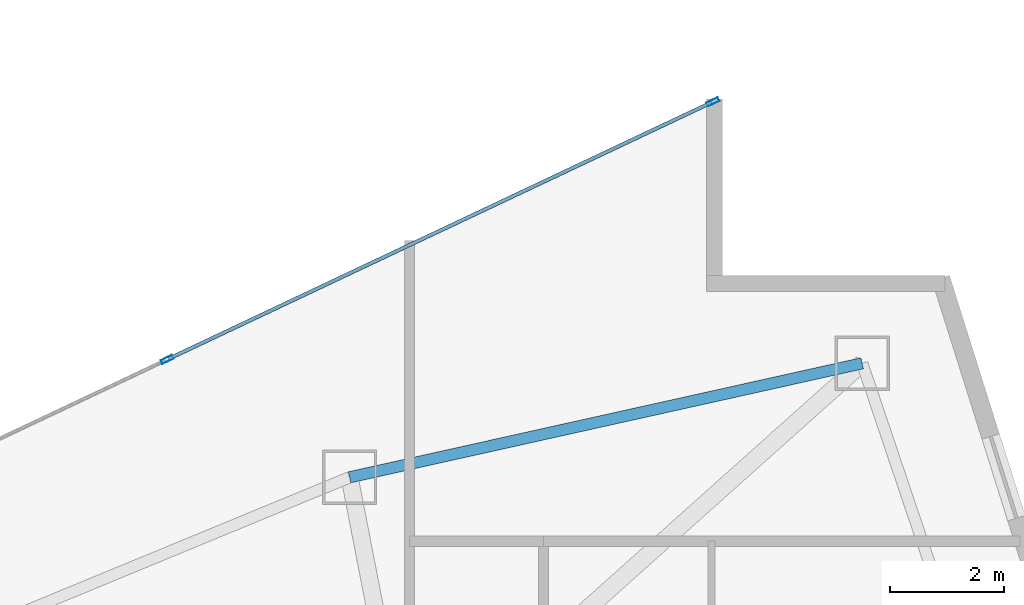
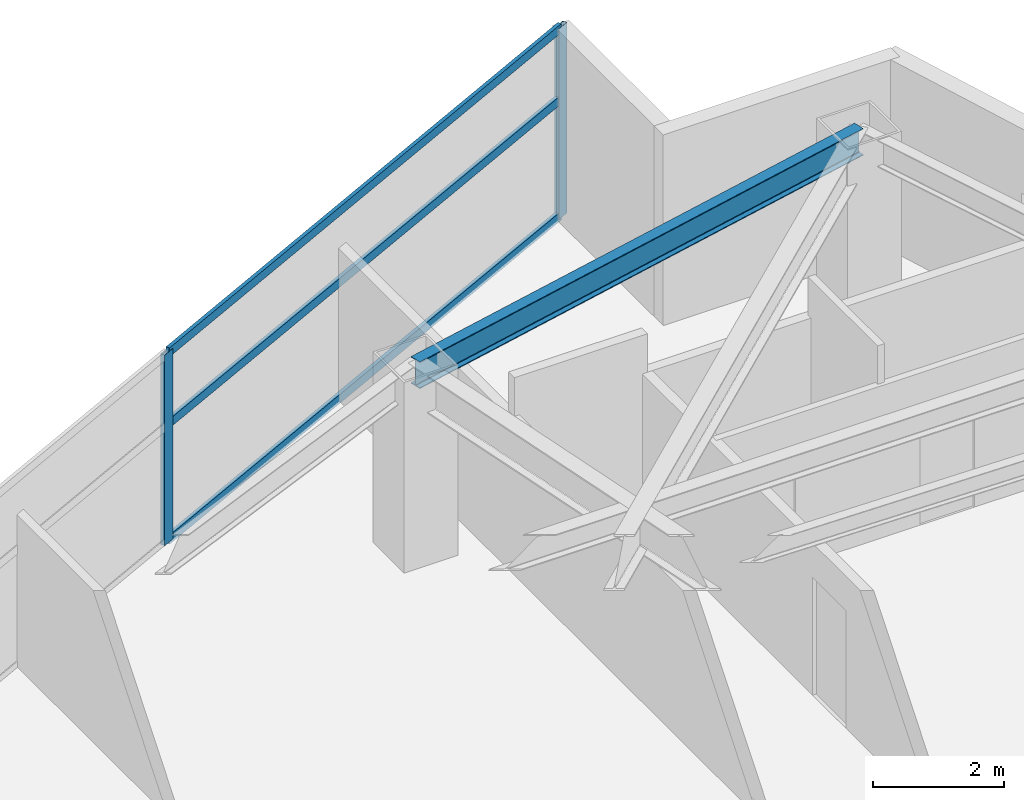
# One storey, part 20 of 29: 5 members, 1 beam, 1 element without a shape of its own.
"""IFC4 building model written with IfcOpenShell, lengths in metres."""

from ifc_helpers import new_model, si_unit, direction, frame, origin, origin_2d, place, context, subcontext, project, spatial, hollow_rectangle, i_section, extrude, material, layer, layer_set, material_profile, profile_set, type_object, element, aggregate, save


model = new_model("IFC4")

# Units and contexts
model_context = context("Model", 3, precision=1e-05, world=origin(), true_north=direction((0.0, 1.0)))
body_context = subcontext(model_context, "Body", "Model", "MODEL_VIEW")
ifc_project = project(units=[si_unit("LENGTHUNIT", "METRE"), si_unit("AREAUNIT", "SQUARE_METRE"), si_unit("VOLUMEUNIT", "CUBIC_METRE"), si_unit("PLANEANGLEUNIT", "RADIAN"), si_unit("MASSUNIT", "GRAM", prefix="KILO")], contexts=[model_context])

# Site, building, storey
site_placement = place(None, origin())
site = spatial("IfcSite", under=ifc_project, at=site_placement, CompositionType="ELEMENT")
building_placement = place(site_placement, origin())
building = spatial("IfcBuilding", under=site, at=building_placement, Name="Calvorn Quay Hotel", CompositionType="ELEMENT")
storey_placement = place(building_placement, frame((0.0, 0.0, 38.39990234375)))
storey = spatial("IfcBuildingStorey", under=building, at=storey_placement, Name="L08", CompositionType="ELEMENT", Elevation=38.39990234375)

# Beam
ifc_material_1 = material(Name="Steel Q355B", Category="steel")
ifc_material_profile_1 = material_profile(ifc_material_1, i_section(OverallWidth=0.199951171875, OverallDepth=0.5, WebThickness=0.010009765625, FlangeThickness=0.01611328125, FilletRadius=0.01611328125, at=origin_2d()), Name="HN500x200x10x16")
ifc_profile_set_1 = profile_set([ifc_material_profile_1], Name="Steel Q355B")
beam_type = type_object("IfcBeamType", Name="BM-SPANDREL-Z1", PredefinedType="SPANDREL", material=ifc_profile_set_1)
beam_placement = place(storey_placement, frame((52.990966796875, 33.39990234375, 3.2900390625), z_axis=(-0.976140886259, -0.217138136156, 0.0), x_axis=(0.217138136156, -0.976140886259, 0.0)))
element("IfcBeam", 1, at=beam_placement, inside=storey, type_object=beam_type, Name="Beam BSP-L08-E3", PredefinedType="SPANDREL", context=body_context, shape_type="SweptSolid", body=[
    extrude(i_section(OverallWidth=0.199951171875, OverallDepth=0.5, WebThickness=0.010009765625, FlangeThickness=0.01611328125, FilletRadius=0.01611328125, at=origin_2d()), origin(), (0.0, 0.0, 1.0), 9.210693359375),
])

# Curtain wall, members
ifc_material_2 = material(Name="Pale Anodised Aluminium and Low-E Glass", Category="aluminium")
ifc_layer = layer(ifc_material_2, 0.219970703125)
ifc_layer_set = layer_set([ifc_layer], Name="CW-SYS-Z1")
curtain_wall_type = type_object("IfcCurtainWallType", Name="CW-SYS-Z1", PredefinedType="NOTDEFINED", material=ifc_layer_set)
curtain_wall_placement = place(storey_placement, origin())
curtain_wall = element("IfcCurtainWall", 2, at=curtain_wall_placement, inside=storey, type_object=curtain_wall_type, Name="Inner Court Curtain Wall L08-NE1", PredefinedType="NOTDEFINED")
ifc_material_3 = material(Name="Pale Anodised Aluminium 6063-T6", Category="aluminium")
ifc_material_profile_2 = material_profile(ifc_material_3, hollow_rectangle(XDim=0.074951171875, YDim=0.219970703125, WallThickness=0.00439453125, at=origin_2d()), Name="ALU-M220x75x4.5")
ifc_profile_set_2 = profile_set([ifc_material_profile_2], Name="Pale Anodised Aluminium 6063-T6")
member_type_1 = type_object("IfcMemberType", Name="CW-SYS-Z1-MUL", PredefinedType="MULLION", material=ifc_profile_set_2)
member_1_placement = place(storey_placement, frame((50.372802734375, 37.9873046875, 0.0), z_axis=(0.0, 0.0, 1.0), x_axis=(0.427006305415, -0.904248646743, 0.0)))
member_1 = element("IfcMember", 3, at=member_1_placement, type_object=member_type_1, Name="CW-L08-NE1 mullion 1", PredefinedType="MULLION", context=body_context, shape_type="SweptSolid", body=[
    extrude(hollow_rectangle(XDim=0.074951171875, YDim=0.219970703125, WallThickness=0.00439453125, at=origin_2d()), origin(), (0.0, 0.0, 1.0), 3.56005859375),
])
member_2_placement = place(storey_placement, frame((40.800048828125, 33.466552734375, 0.0), z_axis=(0.0, 0.0, 1.0), x_axis=(0.427006305415, -0.904248646743, 0.0)))
member_2 = element("IfcMember", 4, at=member_2_placement, type_object=member_type_1, Name="CW-L08-NE1 mullion 2", PredefinedType="MULLION", context=body_context, shape_type="SweptSolid", body=[
    extrude(hollow_rectangle(XDim=0.074951171875, YDim=0.219970703125, WallThickness=0.00439453125, at=origin_2d()), origin(), (0.0, 0.0, 1.0), 3.56005859375),
])
ifc_material_4 = material(Name="Pale Anodised Aluminium 6063-T6", Category="aluminium")
ifc_material_profile_3 = material_profile(ifc_material_4, hollow_rectangle(XDim=0.06494140625, YDim=0.1650390625, WallThickness=0.00341796875, at=origin_2d()), Name="ALU-T165x65x3.5")
ifc_profile_set_3 = profile_set([ifc_material_profile_3], Name="Pale Anodised Aluminium 6063-T6")
member_type_2 = type_object("IfcMemberType", Name="CW-SYS-Z1-TRN", PredefinedType="USERDEFINED", material=ifc_profile_set_3)
member_3_placement = place(storey_placement, frame((50.345703125, 37.974365234375, 0.030029296875), z_axis=(-0.904248646746, -0.427006305408, 0.0), x_axis=(0.427006305408, -0.904248646746, 0.0)))
member_3 = element("IfcMember", 5, at=member_3_placement, type_object=member_type_2, Name="CW-L08-NE1 transom 1.1", ObjectType="TRANSOM", PredefinedType="USERDEFINED", context=body_context, shape_type="SweptSolid", body=[
    extrude(hollow_rectangle(XDim=0.06494140625, YDim=0.1650390625, WallThickness=0.00341796875, at=origin_2d()), origin(), (0.0, 0.0, 1.0), 10.5263671875),
])
member_4_placement = place(storey_placement, frame((50.345703125, 37.974365234375, 2.2001953125), z_axis=(-0.904248646746, -0.427006305408, 0.0), x_axis=(0.427006305408, -0.904248646746, 0.0)))
member_4 = element("IfcMember", 6, at=member_4_placement, type_object=member_type_2, Name="CW-L08-NE1 transom 1.2", ObjectType="TRANSOM", PredefinedType="USERDEFINED", context=body_context, shape_type="SweptSolid", body=[
    extrude(hollow_rectangle(XDim=0.06494140625, YDim=0.1650390625, WallThickness=0.00341796875, at=origin_2d()), origin(), (0.0, 0.0, 1.0), 10.5263671875),
])
member_5_placement = place(storey_placement, frame((50.345703125, 37.974365234375, 3.530029296875), z_axis=(-0.904248646746, -0.427006305408, 0.0), x_axis=(0.427006305408, -0.904248646746, 0.0)))
member_5 = element("IfcMember", 7, at=member_5_placement, type_object=member_type_2, Name="CW-L08-NE1 transom 1.3", ObjectType="TRANSOM", PredefinedType="USERDEFINED", context=body_context, shape_type="SweptSolid", body=[
    extrude(hollow_rectangle(XDim=0.06494140625, YDim=0.1650390625, WallThickness=0.00341796875, at=origin_2d()), origin(), (0.0, 0.0, 1.0), 10.5263671875),
])
aggregate(curtain_wall, [member_1, member_2, member_3, member_4, member_5])

save(model, "model.ifc")
